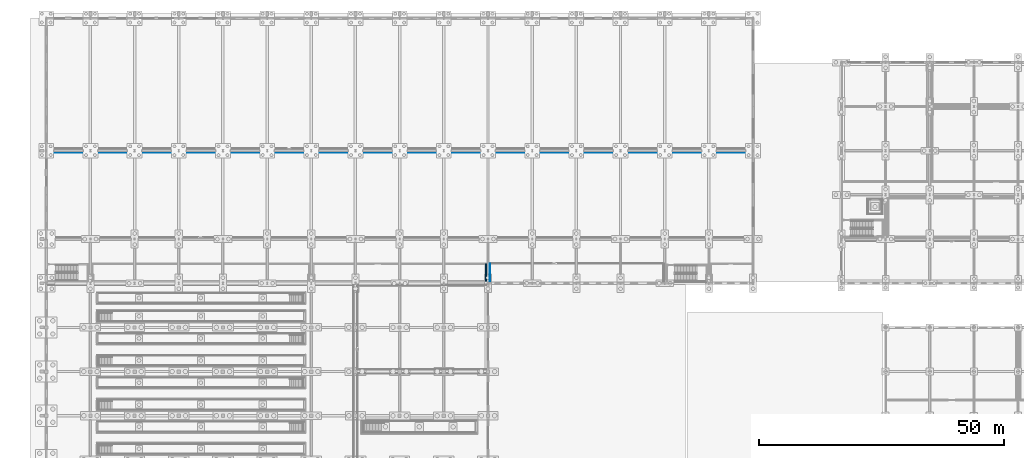
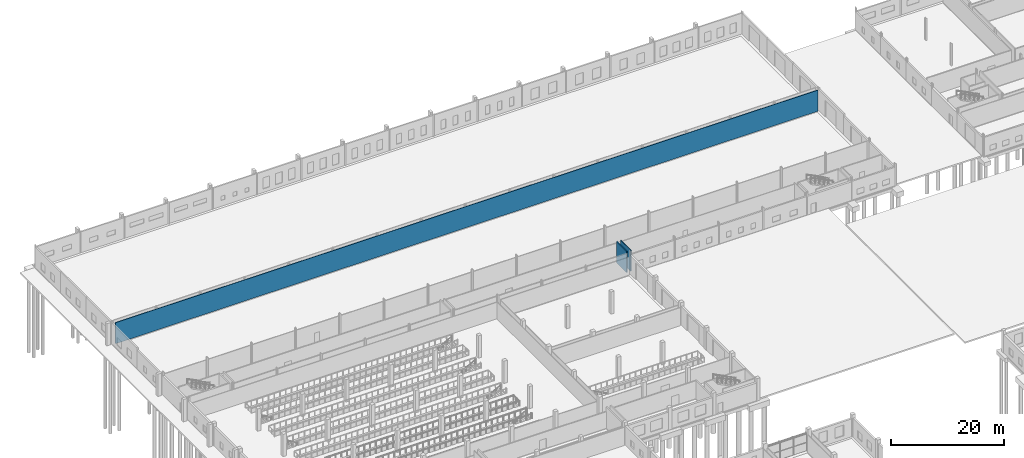
# One storey, part 72 of 112: 3 walls.
"""IFC4 building model written with IfcOpenShell, lengths in metres."""

from ifc_helpers import new_model, si_unit, direction, frame, frame_2d, origin, place, context, subcontext, project, spatial, rectangle, extrude, material, layer, layer_set, type_object, element, save


model = new_model("IFC4")

# Units and contexts
model_context = context("Model", 3, precision=1e-05, world=origin(), true_north=direction((0.0, 1.0)))
body_context = subcontext(model_context, "Body", "Model", "MODEL_VIEW")
ifc_project = project(units=[si_unit("LENGTHUNIT", "METRE"), si_unit("AREAUNIT", "SQUARE_METRE"), si_unit("VOLUMEUNIT", "CUBIC_METRE"), si_unit("PLANEANGLEUNIT", "RADIAN"), si_unit("MASSUNIT", "GRAM", prefix="KILO")], contexts=[model_context])

# Site, building, storey
site_placement = place(None, origin())
site = spatial("IfcSite", under=ifc_project, at=site_placement, CompositionType="ELEMENT")
building_placement = place(site_placement, origin())
building = spatial("IfcBuilding", under=site, at=building_placement, Name="Tharagai Park Tramway Depot", CompositionType="ELEMENT")
storey_placement = place(building_placement, origin())
storey = spatial("IfcBuildingStorey", under=building, at=storey_placement, Name="L00", CompositionType="ELEMENT", Elevation=0.0)

# Walls
ifc_material_1 = material(Name="Gypsum board", Category="gypsum")
ifc_layer_1 = layer(ifc_material_1, 0.1201171875)
ifc_layer_set_1 = layer_set([ifc_layer_1], Name="Gypsum board")
wall_type_1 = type_object("IfcWallType", Name="IW-03", PredefinedType="PARTITIONING", material=ifc_layer_set_1)
wall_1_placement = place(storey_placement, frame((90.39990234375, 90.39990234375, 0.0), z_axis=(0.0, 0.0, 1.0), x_axis=(0.0, 1.0, 0.0)))
element("IfcWall", 1, at=wall_1_placement, inside=storey, type_object=wall_type_1, Name="Shunters Cabin and Track Isolation Room Partition West", PredefinedType="PARTITIONING", context=body_context, shape_type="SweptSolid", body=[
    extrude(rectangle(XDim=3.60009765625, YDim=0.1201171875, at=frame_2d((1.800048828125, 0.0))), origin(), (0.0, 0.0, 1.0), 4.550048828125),
])
wall_2_placement = place(storey_placement, frame((0.39990234375, 116.60009765625, 0.0), z_axis=(0.0, 0.0, 1.0), x_axis=(1.0, 0.0, 0.0)))
element("IfcWall", 2, at=wall_2_placement, inside=storey, type_object=wall_type_1, Name="Depot Stabling Shed South Tracks Partition North", PredefinedType="PARTITIONING", context=body_context, shape_type="SweptSolid", body=[
    extrude(rectangle(XDim=143.2001953125, YDim=0.1201171875, at=frame_2d((71.60009765625, 0.0))), origin(), (0.0, 0.0, 1.0), 4.550048828125),
])
ifc_material_2 = material(Name="Pressed clay brick", Category="masonry")
ifc_layer_2 = layer(ifc_material_2, 0.219970703125)
ifc_layer_set_2 = layer_set([ifc_layer_2], Name="Pressed clay brick")
wall_type_2 = type_object("IfcWallType", Name="IW-05", PredefinedType="SOLIDWALL", material=ifc_layer_set_2)
wall_3_placement = place(storey_placement, frame((89.60009765625, 90.39990234375, 0.0), z_axis=(0.0, 0.0, 1.0), x_axis=(0.0, 1.0, 0.0)))
element("IfcWall", 3, at=wall_3_placement, inside=storey, type_object=wall_type_2, Name="Pantograph Charger Switchgear Room Partition East", PredefinedType="SOLIDWALL", context=body_context, shape_type="SweptSolid", body=[
    extrude(rectangle(XDim=3.60009765625, YDim=0.219970703125, at=frame_2d((1.800048828125, 0.0))), origin(), (0.0, 0.0, 1.0), 4.550048828125),
])

save(model, "model.ifc")
